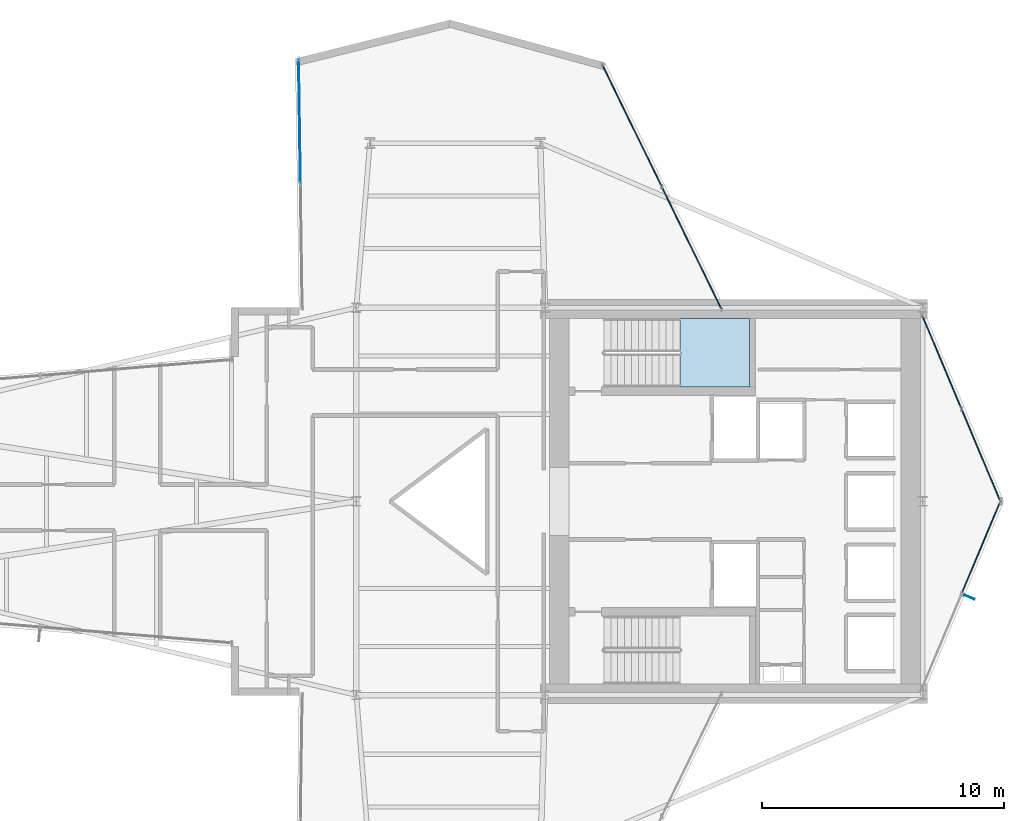
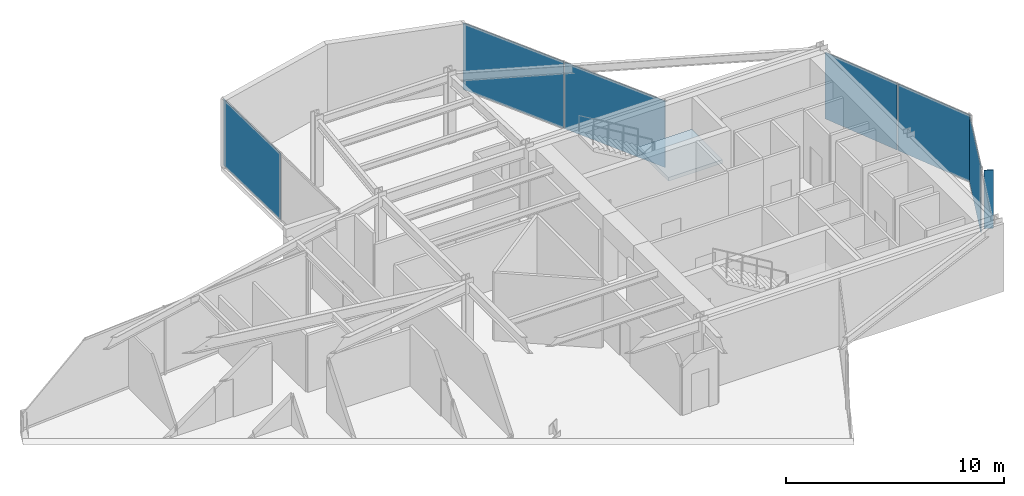
# One storey, part 21 of 25: 7 plates, 1 slab, 5 elements without a shape of their own.
"""IFC4 building model written with IfcOpenShell, lengths in metres."""

from ifc_helpers import new_model, si_unit, direction, frame, origin, origin_2d, place, context, subcontext, project, spatial, polyline, rectangle, outline, extrude, material, layer, layer_set, type_object, element, aggregate, save


model = new_model("IFC4")

# Units and contexts
model_context = context("Model", 3, precision=1e-05, world=origin(), true_north=direction((0.0, 1.0)))
body_context = subcontext(model_context, "Body", "Model", "MODEL_VIEW")
ifc_project = project(units=[si_unit("LENGTHUNIT", "METRE"), si_unit("AREAUNIT", "SQUARE_METRE"), si_unit("VOLUMEUNIT", "CUBIC_METRE"), si_unit("PLANEANGLEUNIT", "RADIAN"), si_unit("MASSUNIT", "GRAM", prefix="KILO")], contexts=[model_context])

# Site, building, storey
site_placement = place(None, origin())
site = spatial("IfcSite", under=ifc_project, at=site_placement, CompositionType="ELEMENT")
building_placement = place(site_placement, origin())
building = spatial("IfcBuilding", under=site, at=building_placement, Name="Veymaron Broadcast Tower", CompositionType="ELEMENT")
storey_placement = place(building_placement, frame((0.0, 0.0, 120.89990234375)))
storey = spatial("IfcBuildingStorey", under=building, at=storey_placement, Name="L27", CompositionType="ELEMENT", Elevation=120.89990234375)

# Curtain wall, plate
ifc_material_1 = material(Name="Anodised aluminium AA 6063-T6 and laminated low-E dark glass", Category="aluminium")
ifc_layer_1 = layer(ifc_material_1, 0.179931640625)
ifc_layer_set_1 = layer_set([ifc_layer_1], Name="Anodised aluminium AA 6063-T6 and laminated low-E dark glass")
curtain_wall_type = type_object("IfcCurtainWallType", Name="CW-SYS-03", PredefinedType="NOTDEFINED", material=ifc_layer_set_1)
curtain_wall_1_placement = place(storey_placement, origin())
curtain_wall_1 = element("IfcCurtainWall", 1, at=curtain_wall_1_placement, inside=storey, type_object=curtain_wall_type, Name="L27 dark-glass curtain wall CW-L27-E2-1", PredefinedType="NOTDEFINED")
ifc_material_2 = material(Name="Insulated dark-anodised aluminium spandrel panel 40 mm", Category="aluminium")
ifc_layer_2 = layer(ifc_material_2, 0.0400390625)
ifc_layer_set_2 = layer_set([ifc_layer_2], Name="Insulated dark-anodised aluminium spandrel panel 40 mm")
plate_type_1 = type_object("IfcPlateType", Name="CW-PNL-03", PredefinedType="CURTAIN_PANEL", material=ifc_layer_set_2)
plate_1_placement = place(storey_placement, frame((57.017333984375, 22.1171875, 0.0400390625), z_axis=(0.0, 0.0, 1.0), x_axis=(0.387225955483, 0.921984847706, 0.0)))
plate_1 = element("IfcPlate", 2, at=plate_1_placement, type_object=plate_type_1, Name="CW-L27-E2-1 unitised curtain panel 1", PredefinedType="CURTAIN_PANEL", context=body_context, shape_type="SweptSolid", body=[
    extrude(rectangle(XDim=4.141845703125, YDim=0.0400390625, at=origin_2d()), origin(), (0.0, 0.0, 1.0), 3.72998046875),
])
aggregate(curtain_wall_1, [plate_1])

# Curtain wall, plates
curtain_wall_2_placement = place(storey_placement, origin())
curtain_wall_2 = element("IfcCurtainWall", 3, at=curtain_wall_2_placement, inside=storey, type_object=curtain_wall_type, Name="L27 dark-glass curtain wall CW-L27-E3-1", PredefinedType="NOTDEFINED")
plate_2_placement = place(storey_placement, frame((57.017333984375, 25.8828125, 0.0400390625), z_axis=(0.0, 0.0, 1.0), x_axis=(-0.387225955483, 0.921984847706, 0.0)))
plate_2 = element("IfcPlate", 4, at=plate_2_placement, type_object=plate_type_1, Name="CW-L27-E3-1 unitised curtain panel 0", PredefinedType="CURTAIN_PANEL", context=body_context, shape_type="SweptSolid", body=[
    extrude(rectangle(XDim=4.141845703125, YDim=0.0400390625, at=origin_2d()), origin(), (0.0, 0.0, 1.0), 3.72998046875),
])
plate_3_placement = place(storey_placement, frame((55.390380859375, 29.756591796875, 0.0400390625), z_axis=(0.0, 0.0, 1.0), x_axis=(-0.387225955483, 0.921984847706, 0.0)))
plate_3 = element("IfcPlate", 5, at=plate_3_placement, type_object=plate_type_1, Name="CW-L27-E3-1 unitised curtain panel 1", PredefinedType="CURTAIN_PANEL", context=body_context, shape_type="SweptSolid", body=[
    extrude(rectangle(XDim=4.141845703125, YDim=0.0400390625, at=origin_2d()), origin(), (0.0, 0.0, 1.0), 3.72998046875),
])
aggregate(curtain_wall_2, [plate_2, plate_3])

curtain_wall_3_placement = place(storey_placement, origin())
curtain_wall_3 = element("IfcCurtainWall", 6, at=curtain_wall_3_placement, inside=storey, type_object=curtain_wall_type, Name="L27 dark-glass curtain wall CW-L27-E5-1", PredefinedType="NOTDEFINED")
plate_4_placement = place(storey_placement, frame((45.052490234375, 34.46875, 0.0400390625), z_axis=(0.0, 0.0, 1.0), x_axis=(-0.437822022994, 0.899061664282, 0.0)))
plate_4 = element("IfcPlate", 7, at=plate_4_placement, type_object=plate_type_1, Name="CW-L27-E5-1 unitised curtain panel 0", PredefinedType="CURTAIN_PANEL", context=body_context, shape_type="SweptSolid", body=[
    extrude(rectangle(XDim=5.568115234375, YDim=0.0400390625, at=origin_2d()), origin(), (0.0, 0.0, 1.0), 3.72998046875),
])
plate_5_placement = place(storey_placement, frame((42.58837890625, 39.52880859375, 0.0400390625), z_axis=(0.0, 0.0, 1.0), x_axis=(-0.437822022994, 0.899061664282, 0.0)))
plate_5 = element("IfcPlate", 8, at=plate_5_placement, type_object=plate_type_1, Name="CW-L27-E5-1 unitised curtain panel 1", PredefinedType="CURTAIN_PANEL", context=body_context, shape_type="SweptSolid", body=[
    extrude(rectangle(XDim=5.568115234375, YDim=0.0400390625, at=origin_2d()), origin(), (0.0, 0.0, 1.0), 3.72998046875),
])
aggregate(curtain_wall_3, [plate_4, plate_5])

# Curtain wall, plate
curtain_wall_4_placement = place(storey_placement, origin())
curtain_wall_4 = element("IfcCurtainWall", 9, at=curtain_wall_4_placement, inside=storey, type_object=curtain_wall_type, Name="L27 dark-glass curtain wall CW-L27-E8-1", PredefinedType="NOTDEFINED")
plate_6_placement = place(storey_placement, frame((28.85546875, 39.7119140625, 0.0400390625), z_axis=(0.0, 0.0, 1.0), x_axis=(0.014642789111, -0.999892788616, 0.0)))
plate_6 = element("IfcPlate", 10, at=plate_6_placement, type_object=plate_type_1, Name="CW-L27-E8-1 unitised curtain panel 0", PredefinedType="CURTAIN_PANEL", context=body_context, shape_type="SweptSolid", body=[
    extrude(rectangle(XDim=5.08056640625, YDim=0.0400390625, at=origin_2d()), origin(), (0.0, 0.0, 1.0), 3.72998046875),
])
aggregate(curtain_wall_4, [plate_6])

# Plate
ifc_material_3 = material(Name="Dark-anodised aluminium AA 6061-T6", Category="aluminium")
ifc_layer_3 = layer(ifc_material_3, 0.034912109375)
ifc_layer_set_3 = layer_set([ifc_layer_3], Name="Dark-anodised aluminium AA 6061-T6")
plate_type_2 = type_object("IfcPlateType", Name="FIN-CHEV-01", PredefinedType="USERDEFINED", material=ifc_layer_set_3)
plate_7_placement = place(storey_placement, frame((56.53125, 20.042724609375, 0.2666015625), z_axis=(0.0, 0.0, 1.0), x_axis=(0.921984847706, -0.387225955483, 0.0)))
element("IfcPlate", 11, at=plate_7_placement, inside=storey, type_object=plate_type_2, Name="CW-L27-E2-1 chevron fin 1", ObjectType="FIN", PredefinedType="USERDEFINED", context=body_context, shape_type="SweptSolid", body=[
    extrude(rectangle(XDim=0.449951171875, YDim=0.034912109375, at=origin_2d()), origin(), (0.0, 0.0, 1.0), 3.276611328125),
])

# Stair, slab
ifc_material_4 = material(Name="Concrete C50/60", Category="concrete")
stair_type = type_object("IfcStairType", Name="STAIR-CORE-1", PredefinedType="HALF_TURN_STAIR", material=ifc_material_4)
stair_placement = place(storey_placement, origin())
stair = element("IfcStair", 12, at=stair_placement, inside=storey, type_object=stair_type, Name="L27 North protected dog-leg exit stair ST1", PredefinedType="HALF_TURN_STAIR")
ifc_layer_4 = layer(ifc_material_4, 0.199951171875)
ifc_layer_set_4 = layer_set([ifc_layer_4], Name="Concrete C50/60")
slab_type = type_object("IfcSlabType", Name="SLAB-STAIR-LDG", PredefinedType="LANDING", material=ifc_layer_set_4)
slab_placement = place(storey_placement, frame((0.0, 0.0, 1.8251953125)))
slab = element("IfcSlab", 13, at=slab_placement, type_object=slab_type, Name="ST1 landing 1", PredefinedType="LANDING", context=body_context, shape_type="SweptSolid", body=[
    extrude(outline(polyline([(44.56494140625, 28.72998046875), (47.43994140625, 28.72998046875), (47.43994140625, 31.550048828125), (44.56494140625, 31.550048828125), (44.56494140625, 28.72998046875)])), origin(), (0.0, 0.0, 1.0), 0.199951171875),
])
aggregate(stair, [slab])

save(model, "model.ifc")
